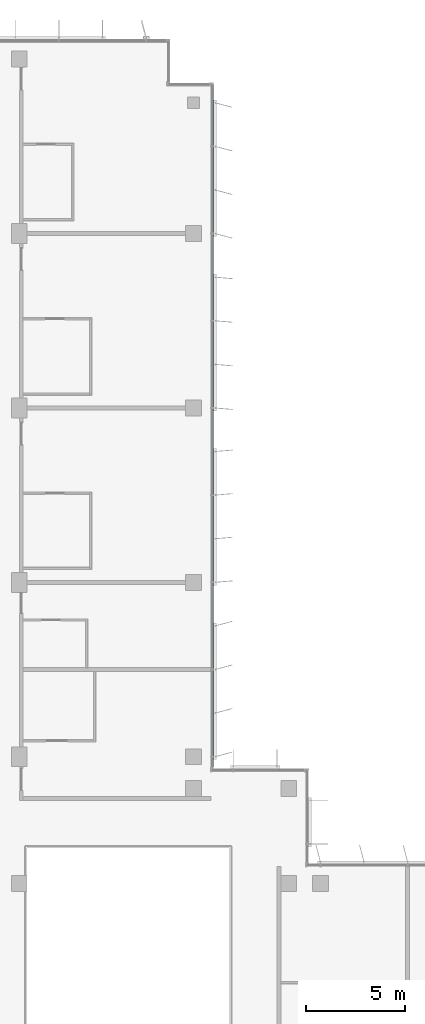
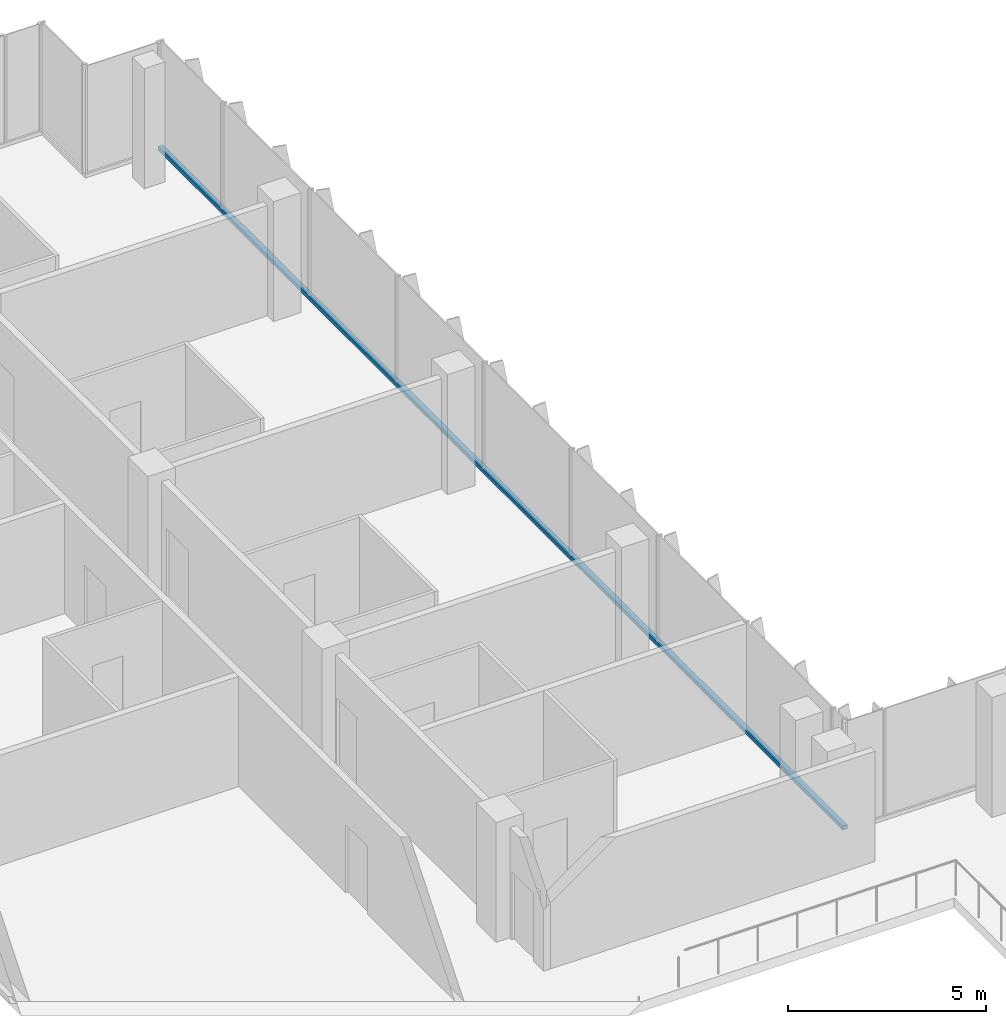
# One storey, part 5 of 15: 1 member, 1 element without a shape of its own.
"""IFC4 building model written with IfcOpenShell, lengths in metres."""

import ifcopenshell
import ifcopenshell.guid

model = None  # the IFC model being written
_history = None  # IfcOwnerHistory: only IFC2X3 demands one
_inside = {}  # id of a spatial element -> (the spatial element, [elements in it])
_under = {}  # id of a project, library or spatial element -> (it, [spatial elements below it])
_declared = {}  # id of a project -> (the project, [libraries it declares])
_typed = {}  # id of a type object -> (the type object, [elements of that type])
_made_of = {}  # id of a material, layer set ... -> (it, [elements and type objects made of it])


def new_model(schema):
    """Start an empty IFC model of exactly this schema.

    Asked for "IFC4X3", IfcOpenShell would pick the latest addendum, in which some entities
    have other attributes; the version numbers below select the first issue.
    IFC2X3 requires an IfcOwnerHistory on every rooted entity: one is made here for all.
    """
    global model, _history
    if schema == "IFC4X3":
        model = ifcopenshell.file(schema_version=(4, 3, 0, 0))
    else:
        model = ifcopenshell.file(schema=schema)
    _inside.clear()
    _under.clear()
    _declared.clear()
    _typed.clear()
    _made_of.clear()
    _history = None
    if model.schema == "IFC2X3":
        org = make("IfcOrganization", Name="unknown")
        user = make(
            "IfcPersonAndOrganization",
            ThePerson=make("IfcPerson", FamilyName="unknown"),
            TheOrganization=org,
        )
        app = make(
            "IfcApplication",
            ApplicationDeveloper=org,
            Version="unknown",
            ApplicationFullName="unknown",
            ApplicationIdentifier="unknown",
        )
        _history = make(
            "IfcOwnerHistory",
            OwningUser=user,
            OwningApplication=app,
            ChangeAction="ADDED",
            CreationDate=0,
        )
    return model


def make(cls, **values):
    """One entity of the class cls with the attributes given. An attribute that is None is left unset."""
    return model.create_entity(
        cls, **{name: value for name, value in values.items() if value is not None}
    )


def rooted(cls, **values):
    """An entity with a GlobalId (a new one), such as an element, a storey or a relation."""
    return make(cls, GlobalId=ifcopenshell.guid.new(), OwnerHistory=_history, **values)


def si_unit(unit_type, name, prefix=None):
    """IfcSIUnit, for example si_unit("LENGTHUNIT", "METRE", prefix="MILLI")."""
    return make("IfcSIUnit", UnitType=unit_type, Prefix=prefix, Name=name)


def assignment(units):
    """IfcUnitAssignment: the units of a project."""
    return None if units is None else make("IfcUnitAssignment", Units=units)


def point(xyz):
    """IfcCartesianPoint."""
    return None if xyz is None else make("IfcCartesianPoint", Coordinates=xyz)


def direction(xyz):
    """IfcDirection."""
    return None if xyz is None else make("IfcDirection", DirectionRatios=xyz)


def frame(location, z_axis=None, x_axis=None):
    """IfcAxis2Placement3D, a coordinate frame: its origin and axes. An axis left out is left unset."""
    return make(
        "IfcAxis2Placement3D",
        Location=point(location),
        Axis=direction(z_axis),
        RefDirection=direction(x_axis),
    )


def frame_2d(location, x_axis=None):
    """IfcAxis2Placement2D, a coordinate frame in the plane: its origin and x axis."""
    return make(
        "IfcAxis2Placement2D", Location=point(location), RefDirection=direction(x_axis)
    )


def origin():
    """The frame at (0, 0, 0) with its axes left unset."""
    return frame((0.0, 0.0, 0.0))


def origin_2d():
    """The frame at (0, 0) in the plane with its x axis left unset."""
    return frame_2d((0.0, 0.0))


def place(relative_to, where):
    """IfcLocalPlacement: puts the frame where relative to a parent placement (None: the world)."""
    return make(
        "IfcLocalPlacement", PlacementRelTo=relative_to, RelativePlacement=where
    )


def context(
    kind, dimensions, precision=None, world=None, true_north=None, identifier=None
):
    """IfcGeometricRepresentationContext, for example the 3D "Model" context."""
    return make(
        "IfcGeometricRepresentationContext",
        ContextIdentifier=identifier,
        ContextType=kind,
        CoordinateSpaceDimension=dimensions,
        Precision=precision,
        WorldCoordinateSystem=world,
        TrueNorth=true_north,
    )


def subcontext(parent, identifier, kind, view, scale=None):
    """IfcGeometricRepresentationSubContext, for example "Body" below "Model"."""
    return make(
        "IfcGeometricRepresentationSubContext",
        ContextIdentifier=identifier,
        ContextType=kind,
        ParentContext=parent,
        TargetScale=scale,
        TargetView=view,
    )


def project(units=None, contexts=None):
    """IfcProject with its units and contexts."""
    return rooted(
        "IfcProject",
        Name="project",
        RepresentationContexts=contexts,
        UnitsInContext=assignment(units),
    )


def spatial(cls, under=None, at=None, **own):
    """A site, building, storey or space (cls), placed at a placement, below another one or the project."""
    s = rooted(cls, ObjectPlacement=at, **own)
    if under is not None:
        _under.setdefault(under.id(), (under, []))[1].append(s)
    return s


def profile(cls, at=None, kind="AREA", **sizes):
    """A parametric profile (cls). Its sizes go by their IFC names, for example OverallWidth=200.0."""
    return make(cls, ProfileType=kind, Position=at, **sizes)


def rectangle(**sizes):
    """IfcRectangleProfileDef."""
    return profile("IfcRectangleProfileDef", **sizes)


def extrude(swept, where, along, depth):
    """IfcExtrudedAreaSolid: the profile swept, set in the frame where, extruded along a direction by depth."""
    return make(
        "IfcExtrudedAreaSolid",
        SweptArea=swept,
        Position=where,
        ExtrudedDirection=direction(along),
        Depth=depth,
    )


def shape(context_of_items, identifier, shape_type, items):
    """IfcShapeRepresentation: the items that make up one representation, for example the "Body"."""
    return make(
        "IfcShapeRepresentation",
        ContextOfItems=context_of_items,
        RepresentationIdentifier=identifier,
        RepresentationType=shape_type,
        Items=items,
    )


def material(Name=None, Category=None):
    """IfcMaterial."""
    return make("IfcMaterial", Name=Name, Category=Category)


def material_profile(
    of_material, cross_section, Name=None, Category=None, Priority=None
):
    """IfcMaterialProfile: a cross section and its material."""
    return make(
        "IfcMaterialProfile",
        Name=Name,
        Material=of_material,
        Profile=cross_section,
        Priority=Priority,
        Category=Category,
    )


def profile_set(profiles, Name=None, composite=None):
    """IfcMaterialProfileSet."""
    return make(
        "IfcMaterialProfileSet",
        Name=Name,
        MaterialProfiles=profiles,
        CompositeProfile=composite,
    )


def made_of(thing, what):
    """Note that an element or type object is made of a material, layer set ...; save() writes the relation."""
    if what is not None:
        _made_of.setdefault(what.id(), (what, []))[1].append(thing)
    return thing


def type_object(cls, material=None, **own):
    """A type object (cls), such as IfcWallType, which elements share."""
    return made_of(rooted(cls, **own), material)


def element(
    cls,
    number,
    at=None,
    inside=None,
    cuts=None,
    type_object=None,
    material=None,
    context=None,
    identifier="Body",
    shape_type=None,
    held_by="IfcProductDefinitionShape",
    body=None,
    shapes=None,
    **own,
):
    """One element of the class cls, such as IfcWall. Its Tag is "e" and its number.

    at: its placement. inside: the storey or other place that contains it. cuts: it is an
    opening in that element (IfcRelVoidsElement). A single representation is given by context,
    identifier, shape_type and body (its items); several are given by shapes. held_by: the class
    of the entity that holds the representations. save() writes the other relations.
    """
    e = rooted(cls, Tag="e%d" % number, ObjectPlacement=at, **own)
    if body is not None:
        shapes = [shape(context, identifier, shape_type, body)]
    if shapes is not None:
        e.Representation = make(held_by, Representations=shapes)
    if inside is not None:
        _inside.setdefault(inside.id(), (inside, []))[1].append(e)
    if cuts is not None:
        rooted(
            "IfcRelVoidsElement", RelatingBuildingElement=cuts, RelatedOpeningElement=e
        )
    if type_object is not None:
        _typed.setdefault(type_object.id(), (type_object, []))[1].append(e)
    return made_of(e, material)


def aggregate(whole, parts):
    """IfcRelAggregates: a whole, such as a stair, and the parts it consists of."""
    return rooted("IfcRelAggregates", RelatingObject=whole, RelatedObjects=parts)


def save(model, path):
    """Write the relations noted so far, then the file.

    IfcRelAggregates (storeys below a building ...), IfcRelContainedInSpatialStructure (elements
    in a storey), IfcRelDefinesByType, IfcRelAssociatesMaterial and IfcRelDeclares: one each for
    every whole, place, type object, material and project.
    """
    for whole, parts in _under.values():
        aggregate(whole, parts)
    for where, things in _inside.values():
        rooted(
            "IfcRelContainedInSpatialStructure",
            RelatedElements=things,
            RelatingStructure=where,
        )
    for kind, things in _typed.values():
        rooted("IfcRelDefinesByType", RelatedObjects=things, RelatingType=kind)
    for what, things in _made_of.values():
        rooted("IfcRelAssociatesMaterial", RelatedObjects=things, RelatingMaterial=what)
    for by, libraries in _declared.values():
        rooted("IfcRelDeclares", RelatingContext=by, RelatedDefinitions=libraries)
    model.write(path)


model = new_model("IFC4")

# Units and contexts
model_context = context("Model", 3, precision=1e-05, world=origin(), true_north=direction((0.0, 1.0)))
body_context = subcontext(model_context, "Body", "Model", "MODEL_VIEW")
ifc_project = project(units=[si_unit("LENGTHUNIT", "METRE"), si_unit("AREAUNIT", "SQUARE_METRE"), si_unit("VOLUMEUNIT", "CUBIC_METRE"), si_unit("PLANEANGLEUNIT", "RADIAN"), si_unit("MASSUNIT", "GRAM", prefix="KILO")], contexts=[model_context])

# Site, building, storey
site_placement = place(None, origin())
site = spatial("IfcSite", under=ifc_project, at=site_placement, CompositionType="ELEMENT")
building_placement = place(site_placement, origin())
building = spatial("IfcBuilding", under=site, at=building_placement, Name="Kemantara Hotel Tower", CompositionType="ELEMENT")
storey_placement = place(building_placement, frame((0.0, 0.0, 230.199951171875)))
storey = spatial("IfcBuildingStorey", under=building, at=storey_placement, Name="L57", CompositionType="ELEMENT", Elevation=230.199951171875)

# Curtain wall, member
ifc_material_1 = material(Name="Low-E tinted double insulated glass 36 mm", Category="glass")
curtain_wall_type = type_object("IfcCurtainWallType", Name="TOWER CURTAIN WALL, FRONT FACES", PredefinedType="USERDEFINED", material=ifc_material_1)
curtain_wall_placement = place(storey_placement, origin())
curtain_wall = element("IfcCurtainWall", 1, at=curtain_wall_placement, inside=storey, type_object=curtain_wall_type, Name="CW4 L57 T4-R15-1", ObjectType="TOWER CURTAIN WALL, FRONT FACES", PredefinedType="USERDEFINED")
ifc_material_2 = material(Name="Aluminium 6063-T6 bronze anodised", Category="aluminium")
ifc_material_profile = material_profile(ifc_material_2, rectangle(XDim=0.14990234375, YDim=0.1201171875, at=origin_2d()), Name="TOWER CURTAIN WALL, FRONT FACES TRANSOM")
ifc_profile_set = profile_set([ifc_material_profile], Name="Aluminium 6063-T6 bronze anodised")
member_type = type_object("IfcMemberType", Name="TOWER CURTAIN WALL, FRONT FACES TRANSOM", PredefinedType="USERDEFINED", material=ifc_profile_set)
member_placement = place(storey_placement, frame((21.925048828125, 26.800048828125, 0.06005859375), z_axis=(0.0, 1.0, 0.0), x_axis=(-1.0, 0.0, 0.0)))
member = element("IfcMember", 2, at=member_placement, type_object=member_type, Name="CW4 sill transom T4-R15-1", ObjectType="TRANSOM", PredefinedType="USERDEFINED", context=body_context, shape_type="SweptSolid", body=[
    extrude(rectangle(XDim=0.14990234375, YDim=0.1201171875, at=origin_2d()), origin(), (0.0, 0.0, 1.0), 34.599853515625),
])
aggregate(curtain_wall, [member])

save(model, "model.ifc")
